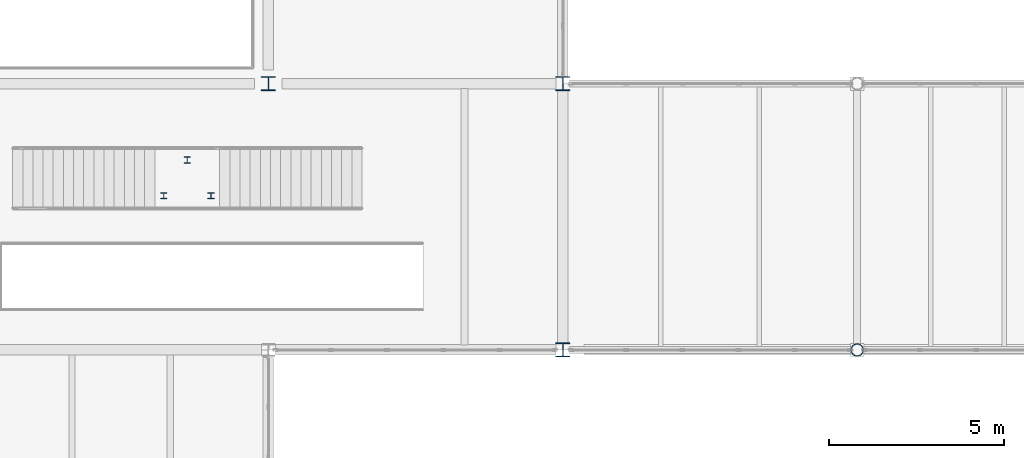
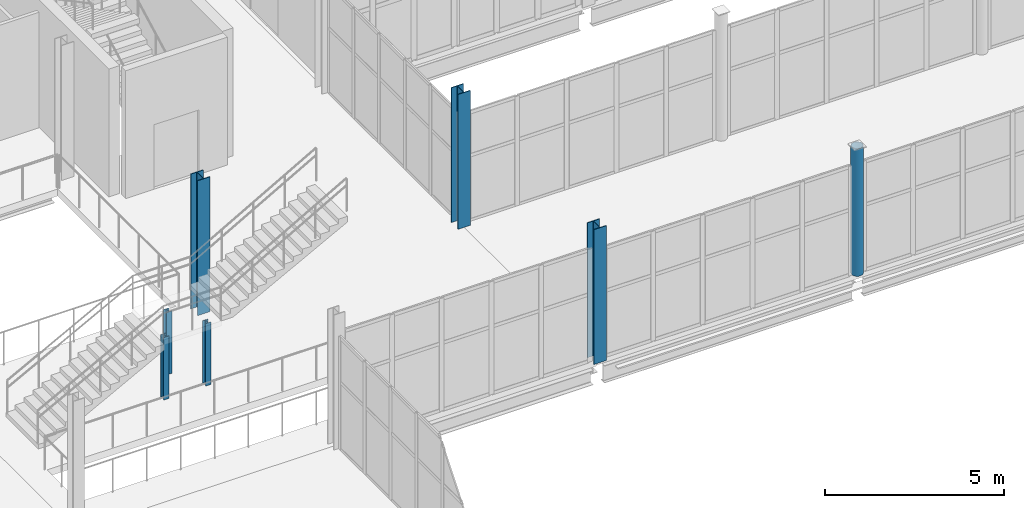
# One storey, part 4 of 172: 7 columns.
"""IFC4 building model written with IfcOpenShell, lengths in metres."""

from ifc_helpers import new_model, si_unit, direction, frame, origin, origin_2d, place, context, subcontext, project, spatial, hollow_circle, i_section, extrude, material, material_profile, profile_set, type_object, element, save


model = new_model("IFC4")

# Units and contexts
model_context = context("Model", 3, precision=1e-05, world=origin(), true_north=direction((0.0, 1.0)))
body_context = subcontext(model_context, "Body", "Model", "MODEL_VIEW")
ifc_project = project(units=[si_unit("LENGTHUNIT", "METRE"), si_unit("AREAUNIT", "SQUARE_METRE"), si_unit("VOLUMEUNIT", "CUBIC_METRE"), si_unit("PLANEANGLEUNIT", "RADIAN"), si_unit("MASSUNIT", "GRAM", prefix="KILO")], contexts=[model_context])

# Site, building, storey
site_placement = place(None, origin())
site = spatial("IfcSite", under=ifc_project, at=site_placement, CompositionType="ELEMENT")
building_placement = place(site_placement, origin())
building = spatial("IfcBuilding", under=site, at=building_placement, Name="Shengluoqiao Park Theatre", CompositionType="ELEMENT")
storey_placement = place(building_placement, frame((0.0, 0.0, 5.39990234375)))
storey = spatial("IfcBuildingStorey", under=building, at=storey_placement, Name="L01", CompositionType="ELEMENT", Elevation=5.39990234375)

# Columns
ifc_material = material(Name="Steel Q355", Category="steel")
ifc_material_profile_1 = material_profile(ifc_material, hollow_circle(Radius=0.177978515625, WallThickness=0.013916015625, at=origin_2d()), Name="CHS 356x14")
ifc_profile_set_1 = profile_set([ifc_material_profile_1], Name="Steel Q355")
column_type_1 = type_object("IfcColumnType", Name="STR-COL-C-CHS356", PredefinedType="COLUMN", material=ifc_profile_set_1)
column_placement = place(storey_placement, frame((52.800048828125, 53.199951171875, 0.0), z_axis=(0.0, 0.0, 1.0), x_axis=(1.0, 0.0, 0.0)))
element("IfcColumn", 1, at=column_placement, inside=storey, type_object=column_type_1, Name="L01 Column 0256", PredefinedType="COLUMN", context=body_context, shape_type="SweptSolid", body=[
    extrude(hollow_circle(Radius=0.177978515625, WallThickness=0.013916015625, at=origin_2d()), origin(), (0.0, 0.0, 1.0), 4.35009765625),
])
ifc_material_profile_2 = material_profile(ifc_material, i_section(OverallWidth=0.175048828125, OverallDepth=0.175048828125, WebThickness=0.007568359375, FlangeThickness=0.010986328125, FilletRadius=0.012939453125, at=origin_2d()), Name="HW 175x175x7.5x11")
ifc_profile_set_2 = profile_set([ifc_material_profile_2], Name="Steel Q355")
column_type_2 = type_object("IfcColumnType", Name="STR-COL-C-HW175", PredefinedType="COLUMN", material=ifc_profile_set_2)
for number, where, z_axis, x_axis, name in (
    (2, (33.010009765625, 57.60009765625, 0.0), (0.0, 0.0, 1.0), (1.0, 0.0, 0.0), "ST-07-L01 L01 Landing Column W"),
    (3, (34.360107421875, 57.60009765625, 0.0), (0.0, 0.0, 1.0), (1.0, 0.0, 0.0), "ST-07-L01 L01 Landing Column E"),
    (4, (33.68505859375, 58.6201171875, 0.0), (0.0, 0.0, 1.0), (1.0, 0.0, 0.0), "ST-07-L01 L01 Landing Column N"),
):
    element("IfcColumn", number, at=place(storey_placement, frame(where, z_axis=z_axis, x_axis=x_axis)), inside=storey, type_object=column_type_2, Name=name, PredefinedType="COLUMN", context=body_context, shape_type="SweptSolid", body=[
        extrude(i_section(OverallWidth=0.175048828125, OverallDepth=0.175048828125, WebThickness=0.007568359375, FlangeThickness=0.010986328125, FilletRadius=0.012939453125, at=origin_2d()), origin(), (0.0, 0.0, 1.0), 2.130126953125),
    ])
ifc_material_profile_3 = material_profile(ifc_material, i_section(OverallWidth=0.39990234375, OverallDepth=0.39990234375, WebThickness=0.012939453125, FlangeThickness=0.02099609375, FilletRadius=0.02197265625, at=origin_2d()), Name="HW 400x400x13x21")
ifc_profile_set_3 = profile_set([ifc_material_profile_3], Name="Steel Q355")
column_type_3 = type_object("IfcColumnType", Name="STR-COL-C-HW400", PredefinedType="COLUMN", material=ifc_profile_set_3)
for number, where, z_axis, x_axis, name in (
    (5, (36.0, 60.800048828125, 0.0), (0.0, 0.0, 1.0), (1.0, 0.0, 0.0), "L01 Column 0176"),
    (6, (44.39990234375, 53.199951171875, 0.0), (0.0, 0.0, 1.0), (1.0, 0.0, 0.0), "L01 Column 0204"),
    (7, (44.39990234375, 60.800048828125, 0.0), (0.0, 0.0, 1.0), (1.0, 0.0, 0.0), "L01 Column 0208"),
):
    element("IfcColumn", number, at=place(storey_placement, frame(where, z_axis=z_axis, x_axis=x_axis)), inside=storey, type_object=column_type_3, Name=name, PredefinedType="COLUMN", context=body_context, shape_type="SweptSolid", body=[
        extrude(i_section(OverallWidth=0.39990234375, OverallDepth=0.39990234375, WebThickness=0.012939453125, FlangeThickness=0.02099609375, FilletRadius=0.02197265625, at=origin_2d()), origin(), (0.0, 0.0, 1.0), 4.60009765625),
    ])

save(model, "model.ifc")
